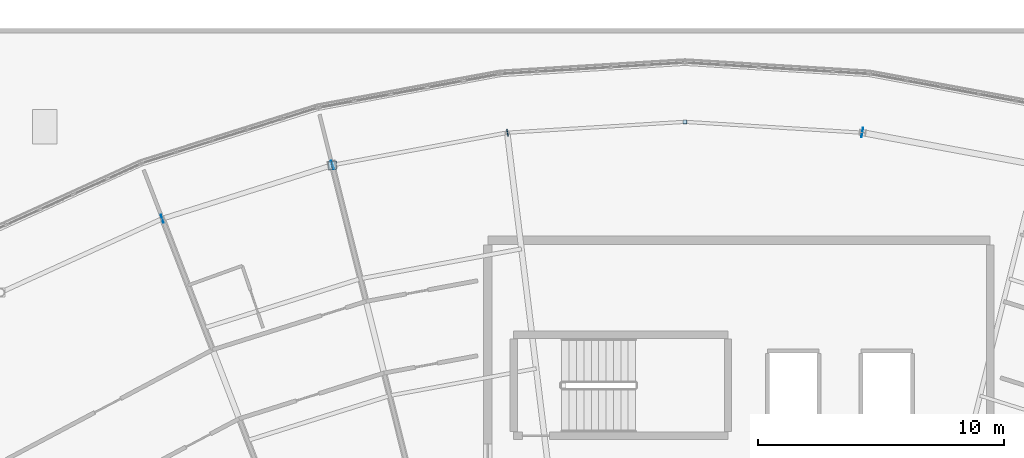
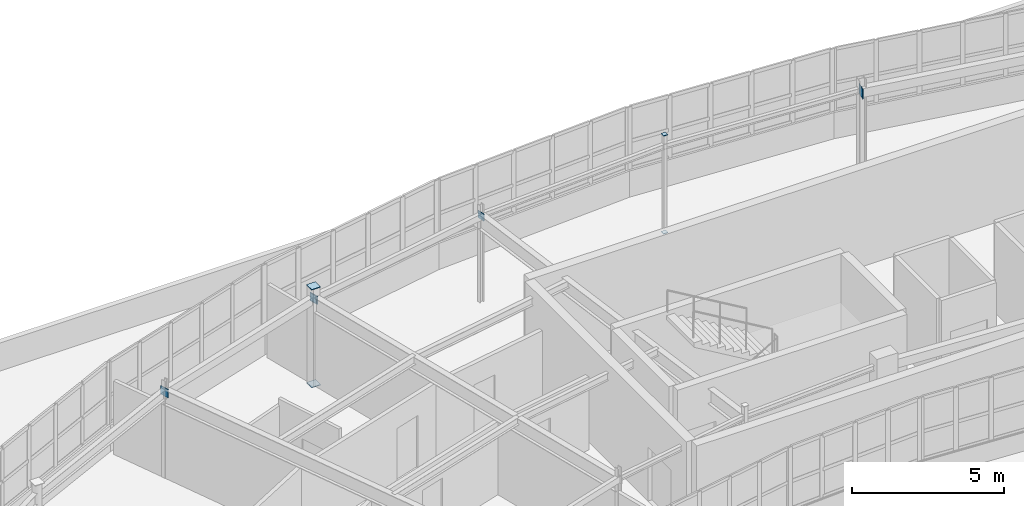
# One storey, part 93 of 128: 9 plates.
"""IFC4 building model written with IfcOpenShell, lengths in metres."""

from ifc_helpers import new_model, si_unit, direction, frame, origin, origin_2d, place, context, subcontext, project, spatial, rectangle, extrude, material, layer, layer_set, type_object, element, save


model = new_model("IFC4")

# Units and contexts
model_context = context("Model", 3, precision=1e-05, world=origin(), true_north=direction((0.0, 1.0)))
body_context = subcontext(model_context, "Body", "Model", "MODEL_VIEW")
ifc_project = project(units=[si_unit("LENGTHUNIT", "METRE"), si_unit("AREAUNIT", "SQUARE_METRE"), si_unit("VOLUMEUNIT", "CUBIC_METRE"), si_unit("PLANEANGLEUNIT", "RADIAN"), si_unit("MASSUNIT", "GRAM", prefix="KILO")], contexts=[model_context])

# Site, building, storey
site_placement = place(None, origin())
site = spatial("IfcSite", under=ifc_project, at=site_placement, CompositionType="ELEMENT")
building_placement = place(site_placement, origin())
building = spatial("IfcBuilding", under=site, at=building_placement, Name="Tarnwether General Hospital", CompositionType="ELEMENT")
storey_placement = place(building_placement, frame((0.0, 0.0, 14.39990234375)))
storey = spatial("IfcBuildingStorey", under=building, at=storey_placement, Name="L03", CompositionType="ELEMENT", Elevation=14.39990234375)

# Plates
ifc_material = material(Name="Steel Grade 350 (350 MPa)", Category="steel")
ifc_layer = layer(ifc_material, 0.02490234375)
ifc_layer_set = layer_set([ifc_layer], Name="Steel Grade 350 (350 MPa)")
plate_type = type_object("IfcPlateType", Name="PT-GUS2", PredefinedType="USERDEFINED", material=ifc_layer_set)
for number, where, z_axis, x_axis, name in (
    (1, (77.677978515625, 120.44189453125, -0.02490234375), (0.0, 0.0, 1.0), (1.0, 0.0, 0.0), "Hollow Section Welded End Cap Plate 0493"),
    (2, (77.677978515625, 120.44189453125, 3.900146484375), (0.0, 0.0, 1.0), (1.0, 0.0, 0.0), "Hollow Section Welded End Cap Plate 0494"),
):
    element("IfcPlate", number, at=place(storey_placement, frame(where, z_axis=z_axis, x_axis=x_axis)), inside=storey, type_object=plate_type, Name=name, ObjectType="GUSSET", PredefinedType="USERDEFINED", context=body_context, shape_type="SweptSolid", body=[
        extrude(rectangle(XDim=0.340087890625, YDim=0.340087890625, at=origin_2d()), origin(), (0.0, 0.0, 1.0), 0.02490234375),
    ])
for number, where, z_axis, x_axis, name in (
    (3, (92.0, 122.199951171875, -0.02490234375), (0.0, 0.0, 1.0), (1.0, 0.0, 0.0), "Hollow Section Welded End Cap Plate 0527"),
    (4, (92.0, 122.199951171875, 3.900146484375), (0.0, 0.0, 1.0), (1.0, 0.0, 0.0), "Hollow Section Welded End Cap Plate 0528"),
):
    element("IfcPlate", number, at=place(storey_placement, frame(where, z_axis=z_axis, x_axis=x_axis)), inside=storey, type_object=plate_type, Name=name, ObjectType="GUSSET", PredefinedType="USERDEFINED", context=body_context, shape_type="SweptSolid", body=[
        extrude(rectangle(XDim=0.1650390625, YDim=0.1650390625, at=origin_2d()), origin(), (0.0, 0.0, 1.0), 0.02490234375),
    ])
for number, where, z_axis, x_axis, name in (
    (5, (70.773193359375, 118.26416015625, 3.240234375), (0.0, 0.0, 1.0), (0.953690705585, 0.300789025864, 0.0), "Hollow Section Welded End Cap Plate 1007"),
    (6, (77.68994140625, 120.44580078125, 3.240234375), (0.0, 0.0, 1.0), (0.953690705585, 0.300789025864, 0.0), "Hollow Section Welded End Cap Plate 1008"),
):
    element("IfcPlate", number, at=place(storey_placement, frame(where, z_axis=z_axis, x_axis=x_axis)), inside=storey, type_object=plate_type, Name=name, ObjectType="GUSSET", PredefinedType="USERDEFINED", context=body_context, shape_type="SweptSolid", body=[
        extrude(rectangle(XDim=0.02490234375, YDim=0.340087890625, at=origin_2d()), origin(), (0.0, 0.0, 1.0), 0.340087890625),
    ])
for number, where, z_axis, x_axis, name in (
    (7, (77.665771484375, 120.439697265625, 3.2900390625), (0.0, 0.0, 1.0), (0.983261268185, 0.18220120331, 0.0), "Hollow Section Welded End Cap Plate 1011"),
    (8, (84.79736328125, 121.76123046875, 3.2900390625), (0.0, 0.0, 1.0), (0.983261268185, 0.18220120331, 0.0), "Hollow Section Welded End Cap Plate 1012"),
):
    element("IfcPlate", number, at=place(storey_placement, frame(where, z_axis=z_axis, x_axis=x_axis)), inside=storey, type_object=plate_type, Name=name, ObjectType="GUSSET", PredefinedType="USERDEFINED", context=body_context, shape_type="SweptSolid", body=[
        extrude(rectangle(XDim=0.02490234375, YDim=0.2900390625, at=origin_2d()), origin(), (0.0, 0.0, 1.0), 0.2900390625),
    ])
plate_placement = place(storey_placement, frame((99.20263671875, 121.76123046875, 3.18994140625), z_axis=(0.0, 0.0, 1.0), x_axis=(0.983261268185, -0.18220120331, 0.0)))
element("IfcPlate", 9, at=plate_placement, inside=storey, type_object=plate_type, Name="Hollow Section Welded End Cap Plate 1015", ObjectType="GUSSET", PredefinedType="USERDEFINED", context=body_context, shape_type="SweptSolid", body=[
    extrude(rectangle(XDim=0.02490234375, YDim=0.389892578125, at=origin_2d()), origin(), (0.0, 0.0, 1.0), 0.389892578125),
])

save(model, "model.ifc")
